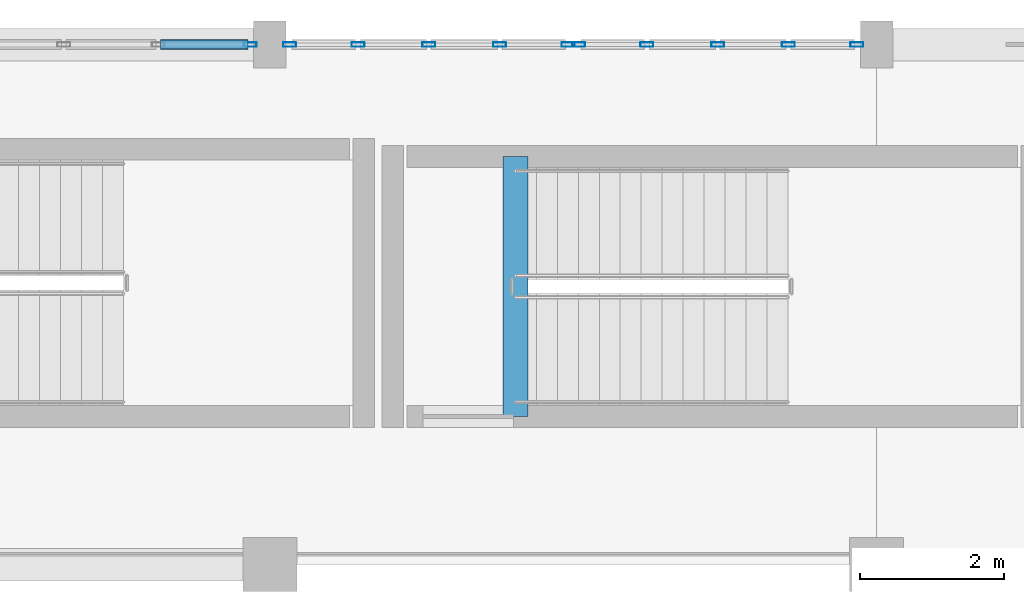
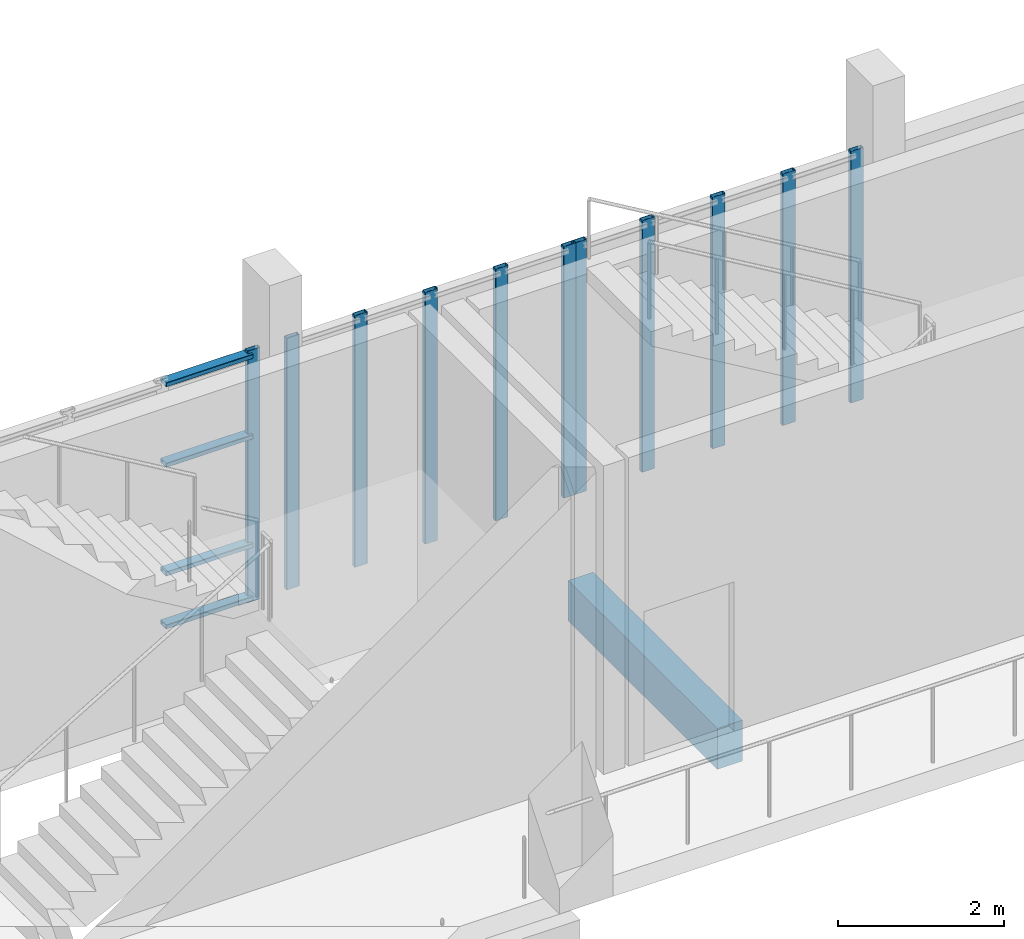
# One storey, part 40 of 106: 15 members, 1 beam, 3 elements without a shape of their own.
"""IFC4 building model written with IfcOpenShell, lengths in metres."""

from ifc_helpers import new_model, si_unit, direction, frame, origin, origin_2d, place, context, subcontext, project, spatial, rectangle, hollow_rectangle, extrude, material, layer, layer_set, material_profile, profile_set, type_object, element, aggregate, save


model = new_model("IFC4")

# Units and contexts
model_context = context("Model", 3, precision=1e-05, world=origin(), true_north=direction((0.0, 1.0)))
body_context = subcontext(model_context, "Body", "Model", "MODEL_VIEW")
ifc_project = project(units=[si_unit("LENGTHUNIT", "METRE"), si_unit("AREAUNIT", "SQUARE_METRE"), si_unit("VOLUMEUNIT", "CUBIC_METRE"), si_unit("PLANEANGLEUNIT", "RADIAN"), si_unit("MASSUNIT", "GRAM", prefix="KILO")], contexts=[model_context])

# Site, building, storey
site_placement = place(None, origin())
site = spatial("IfcSite", under=ifc_project, at=site_placement, CompositionType="ELEMENT")
building_placement = place(site_placement, origin())
building = spatial("IfcBuilding", under=site, at=building_placement, Name="Kisaragi Civic Commons", CompositionType="ELEMENT")
storey_placement = place(building_placement, frame((0.0, 0.0, 4.800048828125)))
storey = spatial("IfcBuildingStorey", under=building, at=storey_placement, Name="L01", CompositionType="ELEMENT", Elevation=4.800048828125)

# Curtain wall, member
ifc_material_1 = material(Name="Thermally broken anodized aluminium and low-E double glazing", Category="aluminium")
ifc_layer = layer(ifc_material_1, 0.179931640625, Name="Thermally broken anodized aluminium and low-E double glazing", Category="aluminium")
ifc_layer_set = layer_set([ifc_layer], Name="Thermally broken anodized aluminium and low-E double glazing")
curtain_wall_type = type_object("IfcCurtainWallType", Name="CW-01", PredefinedType="NOTDEFINED", material=ifc_layer_set)
curtain_wall_1_placement = place(storey_placement, origin())
curtain_wall_1 = element("IfcCurtainWall", 1, at=curtain_wall_1_placement, inside=storey, type_object=curtain_wall_type, Name="L01 curtain wall CW-01 CW-V4-L01-062", PredefinedType="NOTDEFINED")
ifc_material_profile_1 = material_profile(ifc_material_1, hollow_rectangle(XDim=0.06494140625, YDim=0.179931640625, WallThickness=0.00439453125, InnerFilletRadius=0.00439453125, OuterFilletRadius=0.009033203125, at=origin_2d()), Name="CWM-65x180x4.5", Category="aluminium")
ifc_profile_set_1 = profile_set([ifc_material_profile_1], Name="Thermally broken anodized aluminium and low-E double glazing")
member_type_1 = type_object("IfcMemberType", Name="CWM-02", PredefinedType="MULLION", material=ifc_profile_set_1)
member_1_placement = place(storey_placement, frame((96.927490234375, 118.800048828125, 0.0), z_axis=(0.0, 0.0, 1.0), x_axis=(0.0, 1.0, 0.0)))
member_1 = element("IfcMember", 2, at=member_1_placement, type_object=member_type_1, Name="CW-01 mullion 4", PredefinedType="MULLION", context=body_context, shape_type="SweptSolid", body=[
    extrude(hollow_rectangle(XDim=0.06494140625, YDim=0.179931640625, WallThickness=0.00439453125, InnerFilletRadius=0.00439453125, OuterFilletRadius=0.009033203125, at=origin_2d()), origin(), (0.0, 0.0, 1.0), 3.704833984375),
])

# Curtain wall, members
curtain_wall_2_placement = place(storey_placement, origin())
curtain_wall_2 = element("IfcCurtainWall", 3, at=curtain_wall_2_placement, inside=storey, type_object=curtain_wall_type, Name="L01 curtain wall CW-01 CW-V4-L01-063", PredefinedType="NOTDEFINED")
member_2_placement = place(storey_placement, frame((97.472412109375, 118.800048828125, 0.0), z_axis=(0.0, 0.0, 1.0), x_axis=(0.0, 1.0, 0.0)))
member_2 = element("IfcMember", 4, at=member_2_placement, type_object=member_type_1, Name="CW-01 mullion 1", PredefinedType="MULLION", context=body_context, shape_type="SweptSolid", body=[
    extrude(hollow_rectangle(XDim=0.06494140625, YDim=0.179931640625, WallThickness=0.00439453125, InnerFilletRadius=0.00439453125, OuterFilletRadius=0.009033203125, at=origin_2d()), origin(), (0.0, 0.0, 1.0), 3.704833984375),
])
member_3_placement = place(storey_placement, frame((98.419921875, 118.800048828125, 0.0), z_axis=(0.0, 0.0, 1.0), x_axis=(0.0, 1.0, 0.0)))
member_3 = element("IfcMember", 5, at=member_3_placement, type_object=member_type_1, Name="CW-01 mullion 2", PredefinedType="MULLION", context=body_context, shape_type="SweptSolid", body=[
    extrude(hollow_rectangle(XDim=0.06494140625, YDim=0.179931640625, WallThickness=0.00439453125, InnerFilletRadius=0.00439453125, OuterFilletRadius=0.009033203125, at=origin_2d()), origin(), (0.0, 0.0, 1.0), 3.704833984375),
])
member_4_placement = place(storey_placement, frame((99.39990234375, 118.800048828125, 0.0), z_axis=(0.0, 0.0, 1.0), x_axis=(0.0, 1.0, 0.0)))
member_4 = element("IfcMember", 6, at=member_4_placement, type_object=member_type_1, Name="CW-01 mullion 3", PredefinedType="MULLION", context=body_context, shape_type="SweptSolid", body=[
    extrude(hollow_rectangle(XDim=0.06494140625, YDim=0.179931640625, WallThickness=0.00439453125, InnerFilletRadius=0.00439453125, OuterFilletRadius=0.009033203125, at=origin_2d()), origin(), (0.0, 0.0, 1.0), 3.704833984375),
])
member_5_placement = place(storey_placement, frame((100.3798828125, 118.800048828125, 0.0), z_axis=(0.0, 0.0, 1.0), x_axis=(0.0, 1.0, 0.0)))
member_5 = element("IfcMember", 7, at=member_5_placement, type_object=member_type_1, Name="CW-01 mullion 4", PredefinedType="MULLION", context=body_context, shape_type="SweptSolid", body=[
    extrude(hollow_rectangle(XDim=0.06494140625, YDim=0.179931640625, WallThickness=0.00439453125, InnerFilletRadius=0.00439453125, OuterFilletRadius=0.009033203125, at=origin_2d()), origin(), (0.0, 0.0, 1.0), 3.704833984375),
])
member_6_placement = place(storey_placement, frame((101.327392578125, 118.800048828125, 0.0), z_axis=(0.0, 0.0, 1.0), x_axis=(0.0, 1.0, 0.0)))
member_6 = element("IfcMember", 8, at=member_6_placement, type_object=member_type_1, Name="CW-01 mullion 5", PredefinedType="MULLION", context=body_context, shape_type="SweptSolid", body=[
    extrude(hollow_rectangle(XDim=0.06494140625, YDim=0.179931640625, WallThickness=0.00439453125, InnerFilletRadius=0.00439453125, OuterFilletRadius=0.009033203125, at=origin_2d()), origin(), (0.0, 0.0, 1.0), 3.704833984375),
])
aggregate(curtain_wall_2, [member_2, member_3, member_4, member_5, member_6])

curtain_wall_3_placement = place(storey_placement, origin())
curtain_wall_3 = element("IfcCurtainWall", 9, at=curtain_wall_3_placement, inside=storey, type_object=curtain_wall_type, Name="L01 curtain wall CW-01 CW-V4-L01-064", PredefinedType="NOTDEFINED")
member_7_placement = place(storey_placement, frame((101.472412109375, 118.800048828125, 0.0), z_axis=(0.0, 0.0, 1.0), x_axis=(0.0, 1.0, 0.0)))
member_7 = element("IfcMember", 10, at=member_7_placement, type_object=member_type_1, Name="CW-01 mullion 1", PredefinedType="MULLION", context=body_context, shape_type="SweptSolid", body=[
    extrude(hollow_rectangle(XDim=0.06494140625, YDim=0.179931640625, WallThickness=0.00439453125, InnerFilletRadius=0.00439453125, OuterFilletRadius=0.009033203125, at=origin_2d()), origin(), (0.0, 0.0, 1.0), 3.704833984375),
])
member_8_placement = place(storey_placement, frame((102.419921875, 118.800048828125, 0.0), z_axis=(0.0, 0.0, 1.0), x_axis=(0.0, 1.0, 0.0)))
member_8 = element("IfcMember", 11, at=member_8_placement, type_object=member_type_1, Name="CW-01 mullion 2", PredefinedType="MULLION", context=body_context, shape_type="SweptSolid", body=[
    extrude(hollow_rectangle(XDim=0.06494140625, YDim=0.179931640625, WallThickness=0.00439453125, InnerFilletRadius=0.00439453125, OuterFilletRadius=0.009033203125, at=origin_2d()), origin(), (0.0, 0.0, 1.0), 3.704833984375),
])
member_9_placement = place(storey_placement, frame((103.39990234375, 118.800048828125, 0.0), z_axis=(0.0, 0.0, 1.0), x_axis=(0.0, 1.0, 0.0)))
member_9 = element("IfcMember", 12, at=member_9_placement, type_object=member_type_1, Name="CW-01 mullion 3", PredefinedType="MULLION", context=body_context, shape_type="SweptSolid", body=[
    extrude(hollow_rectangle(XDim=0.06494140625, YDim=0.179931640625, WallThickness=0.00439453125, InnerFilletRadius=0.00439453125, OuterFilletRadius=0.009033203125, at=origin_2d()), origin(), (0.0, 0.0, 1.0), 3.704833984375),
])
member_10_placement = place(storey_placement, frame((104.3798828125, 118.800048828125, 0.0), z_axis=(0.0, 0.0, 1.0), x_axis=(0.0, 1.0, 0.0)))
member_10 = element("IfcMember", 13, at=member_10_placement, type_object=member_type_1, Name="CW-01 mullion 4", PredefinedType="MULLION", context=body_context, shape_type="SweptSolid", body=[
    extrude(hollow_rectangle(XDim=0.06494140625, YDim=0.179931640625, WallThickness=0.00439453125, InnerFilletRadius=0.00439453125, OuterFilletRadius=0.009033203125, at=origin_2d()), origin(), (0.0, 0.0, 1.0), 3.704833984375),
])
member_11_placement = place(storey_placement, frame((105.327392578125, 118.800048828125, 0.0), z_axis=(0.0, 0.0, 1.0), x_axis=(0.0, 1.0, 0.0)))
member_11 = element("IfcMember", 14, at=member_11_placement, type_object=member_type_1, Name="CW-01 mullion 5", PredefinedType="MULLION", context=body_context, shape_type="SweptSolid", body=[
    extrude(hollow_rectangle(XDim=0.06494140625, YDim=0.179931640625, WallThickness=0.00439453125, InnerFilletRadius=0.00439453125, OuterFilletRadius=0.009033203125, at=origin_2d()), origin(), (0.0, 0.0, 1.0), 3.704833984375),
])
aggregate(curtain_wall_3, [member_7, member_8, member_9, member_10, member_11])

# Member
ifc_material_profile_2 = material_profile(ifc_material_1, hollow_rectangle(XDim=0.139892578125, YDim=0.06494140625, WallThickness=0.00439453125, InnerFilletRadius=0.00439453125, OuterFilletRadius=0.009033203125, at=origin_2d()), Name="CWT-65x140x4.5", Category="aluminium")
ifc_profile_set_2 = profile_set([ifc_material_profile_2], Name="Thermally broken anodized aluminium and low-E double glazing")
member_type_2 = type_object("IfcMemberType", Name="CWT-02", PredefinedType="USERDEFINED", material=ifc_profile_set_2)
member_12_placement = place(storey_placement, frame((95.685791015625, 118.800048828125, 0.070068359375), z_axis=(1.0, 0.0, 0.0), x_axis=(0.0, 1.0, 0.0)))
member_12 = element("IfcMember", 15, at=member_12_placement, type_object=member_type_2, Name="CW-01 transom 3.1", ObjectType="TRANSOM", PredefinedType="USERDEFINED", context=body_context, shape_type="SweptSolid", body=[
    extrude(hollow_rectangle(XDim=0.139892578125, YDim=0.06494140625, WallThickness=0.00439453125, InnerFilletRadius=0.00439453125, OuterFilletRadius=0.009033203125, at=origin_2d()), origin(), (0.0, 0.0, 1.0), 1.209228515625),
])

member_13_placement = place(storey_placement, frame((95.685791015625, 118.800048828125, 0.849853515625), z_axis=(1.0, 0.0, 0.0), x_axis=(0.0, 1.0, 0.0)))
member_13 = element("IfcMember", 16, at=member_13_placement, type_object=member_type_2, Name="CW-01 transom 3.2", ObjectType="TRANSOM", PredefinedType="USERDEFINED", context=body_context, shape_type="SweptSolid", body=[
    extrude(hollow_rectangle(XDim=0.139892578125, YDim=0.06494140625, WallThickness=0.00439453125, InnerFilletRadius=0.00439453125, OuterFilletRadius=0.009033203125, at=origin_2d()), origin(), (0.0, 0.0, 1.0), 1.209228515625),
])

member_14_placement = place(storey_placement, frame((95.685791015625, 118.800048828125, 2.449951171875), z_axis=(1.0, 0.0, 0.0), x_axis=(0.0, 1.0, 0.0)))
member_14 = element("IfcMember", 17, at=member_14_placement, type_object=member_type_2, Name="CW-01 transom 3.3", ObjectType="TRANSOM", PredefinedType="USERDEFINED", context=body_context, shape_type="SweptSolid", body=[
    extrude(hollow_rectangle(XDim=0.139892578125, YDim=0.06494140625, WallThickness=0.00439453125, InnerFilletRadius=0.00439453125, OuterFilletRadius=0.009033203125, at=origin_2d()), origin(), (0.0, 0.0, 1.0), 1.209228515625),
])

member_15_placement = place(storey_placement, frame((95.685791015625, 118.800048828125, 3.635009765625), z_axis=(1.0, 0.0, 0.0), x_axis=(0.0, 1.0, 0.0)))
member_15 = element("IfcMember", 18, at=member_15_placement, type_object=member_type_2, Name="CW-01 transom 3.4", ObjectType="TRANSOM", PredefinedType="USERDEFINED", context=body_context, shape_type="SweptSolid", body=[
    extrude(hollow_rectangle(XDim=0.139892578125, YDim=0.06494140625, WallThickness=0.00439453125, InnerFilletRadius=0.00439453125, OuterFilletRadius=0.009033203125, at=origin_2d()), origin(), (0.0, 0.0, 1.0), 1.209228515625),
])

aggregate(curtain_wall_1, [member_1, member_12, member_13, member_14, member_15])

# Beam
ifc_material_2 = material(Name="Concrete Fc30", Category="concrete")
ifc_material_profile_3 = material_profile(ifc_material_2, rectangle(XDim=0.35009765625, YDim=0.60009765625, at=origin_2d()), Name="RC-350x600", Category="concrete")
ifc_profile_set_3 = profile_set([ifc_material_profile_3], Name="Concrete Fc30")
beam_type = type_object("IfcBeamType", Name="G-14", PredefinedType="BEAM", material=ifc_profile_set_3)
beam_placement = place(storey_placement, frame((100.60009765625, 113.64990234375, -0.300048828125), z_axis=(0.0, 1.0, 0.0), x_axis=(-1.0, 0.0, 0.0)))
element("IfcBeam", 19, at=beam_placement, inside=storey, type_object=beam_type, Name="ST-L1 L01 stair landing trimmer beam", PredefinedType="BEAM", context=body_context, shape_type="SweptSolid", body=[
    extrude(rectangle(XDim=0.35009765625, YDim=0.60009765625, at=origin_2d()), origin(), (0.0, 0.0, 1.0), 3.60009765625),
])

save(model, "model.ifc")
